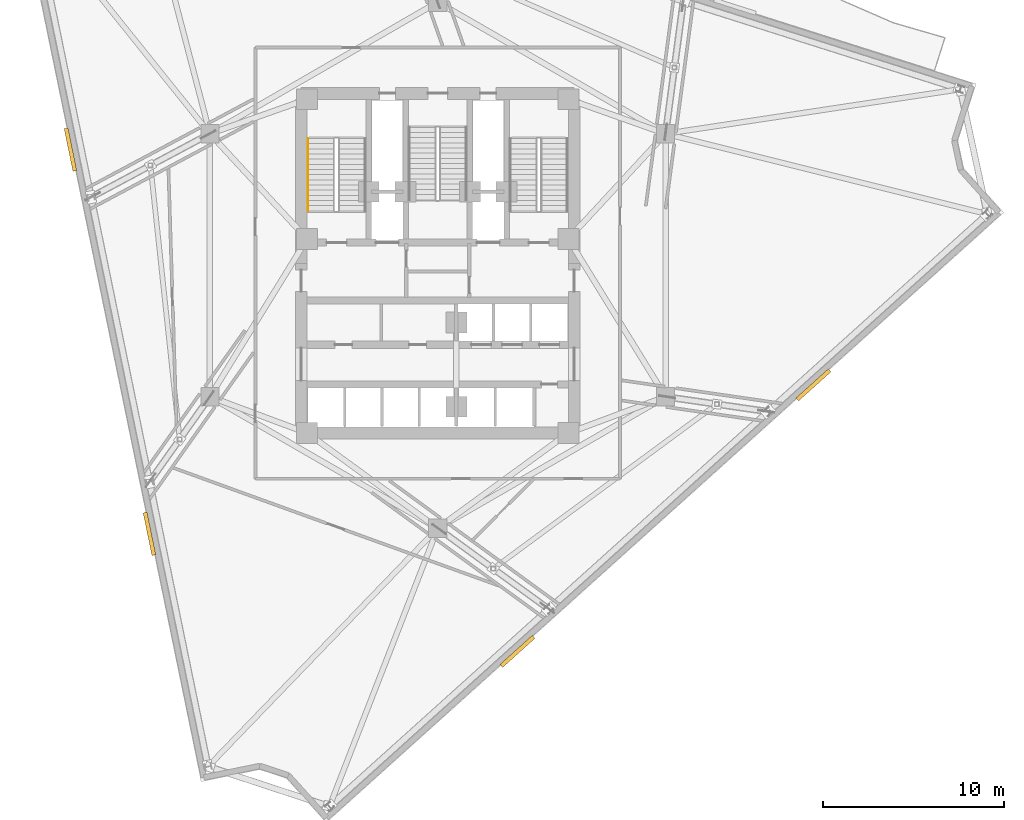
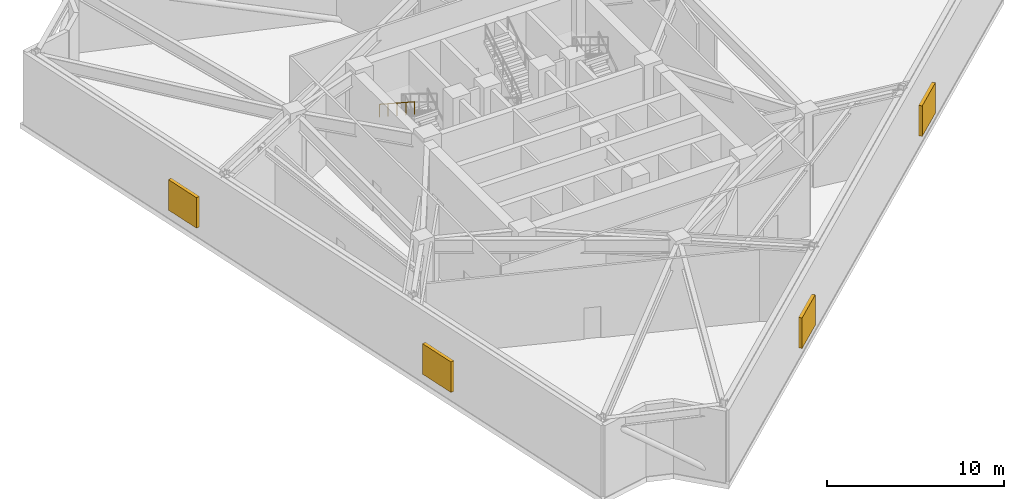
# One storey, part 14 of 16: 4 shading devices, 1 railing.
"""IFC4 building model written with IfcOpenShell, lengths in metres."""

from ifc_helpers import new_model, si_unit, direction, frame, origin, origin_2d, place, context, subcontext, project, spatial, rectangle, extrude, material, type_object, element, save


model = new_model("IFC4")

# Units and contexts
model_context = context("Model", 3, precision=1e-05, world=origin(), true_north=direction((0.0, 1.0)))
body_context = subcontext(model_context, "Body", "Model", "MODEL_VIEW")
ifc_project = project(units=[si_unit("LENGTHUNIT", "METRE"), si_unit("AREAUNIT", "SQUARE_METRE"), si_unit("VOLUMEUNIT", "CUBIC_METRE"), si_unit("PLANEANGLEUNIT", "RADIAN"), si_unit("MASSUNIT", "GRAM", prefix="KILO")], contexts=[model_context])

# Site, building, storey
site_placement = place(None, origin())
site = spatial("IfcSite", under=ifc_project, at=site_placement, CompositionType="ELEMENT")
building_placement = place(site_placement, origin())
building = spatial("IfcBuilding", under=site, at=building_placement, Name="Apsidion Concourse Tower", CompositionType="ELEMENT")
storey_placement = place(building_placement, frame((0.0, 0.0, 227.0)))
storey = spatial("IfcBuildingStorey", under=building, at=storey_placement, Name="L53", CompositionType="ELEMENT", Elevation=227.0)

# Railing
ifc_material_1 = material(Name="Brushed stainless steel 316", Category="steel")
railing_type = type_object("IfcRailingType", Name="RL-HAND-900", PredefinedType="HANDRAIL", material=ifc_material_1)
railing_placement = place(storey_placement, frame((-7.14990234375, 6.989990234375, 2.7734375)))
element("IfcRailing", 1, at=railing_placement, inside=storey, type_object=railing_type, Name="L53 ST1 stair handrail 2", PredefinedType="HANDRAIL", context=body_context, shape_type="SweptSolid", body=[
    extrude(rectangle(XDim=0.048095703125, YDim=0.048095703125, at=origin_2d()), frame((0.0, 0.0, 0.8759765625), z_axis=(0.0, -0.837832859484, 0.545926826204), x_axis=(1.0, 0.0, 0.0)), (0.0, 0.0, 1.0), 4.76220703125),
    extrude(rectangle(XDim=0.0419921875, YDim=0.0419921875, at=origin_2d()), origin(), (0.0, 0.0, 1.0), 0.851806640625),
    extrude(rectangle(XDim=0.0419921875, YDim=0.0419921875, at=origin_2d()), frame((0.0, -0.99755859375, 0.64990234375)), (0.0, 0.0, 1.0), 0.851806640625),
    extrude(rectangle(XDim=0.0419921875, YDim=0.0419921875, at=origin_2d()), frame((0.0, -1.9951171875, 1.2998046875)), (0.0, 0.0, 1.0), 0.851806640625),
    extrude(rectangle(XDim=0.0419921875, YDim=0.0419921875, at=origin_2d()), frame((0.0, -2.992431640625, 1.949951171875)), (0.0, 0.0, 1.0), 0.851806640625),
    extrude(rectangle(XDim=0.0419921875, YDim=0.0419921875, at=origin_2d()), frame((0.0, -3.989990234375, 2.599853515625)), (0.0, 0.0, 1.0), 0.851806640625),
])

# Shading devices
ifc_material_2 = material(Name="Anodised aluminium EN AW-6063 T6", Category="aluminium")
shading_device_type = type_object("IfcShadingDeviceType", Name="SH-LOUVRE-AL", PredefinedType="JALOUSIE", material=ifc_material_2)
for number, where, z_axis, x_axis, name in (
    (2, (20.70947265625, -6.6005859375, 0.75), (0.0, 0.0, 1.0), (-0.743144825477, -0.669130606359, 0.0), "L53 Plant Acoustic Louvre Bank 5-1"),
    (3, (4.399658203125, -21.285888671875, 0.75), (0.0, 0.0, 1.0), (-0.743144825477, -0.669130606359, 0.0), "L53 Plant Acoustic Louvre Bank 5-2"),
    (4, (-15.890380859375, -14.806884765625, 0.75), (0.0, 0.0, 1.0), (-0.201419845156, 0.979505000486, 0.0), "L53 Plant Acoustic Louvre Bank 9-1"),
    (5, (-20.24609375, 6.373779296875, 0.75), (0.0, 0.0, 1.0), (-0.201419845156, 0.979505000486, 0.0), "L53 Plant Acoustic Louvre Bank 9-2"),
):
    element("IfcShadingDevice", number, at=place(storey_placement, frame(where, z_axis=z_axis, x_axis=x_axis)), inside=storey, type_object=shading_device_type, Name=name, PredefinedType="JALOUSIE", context=body_context, shape_type="SweptSolid", body=[
        extrude(rectangle(XDim=2.39990234375, YDim=0.219970703125, at=origin_2d()), origin(), (0.0, 0.0, 1.0), 2.10009765625),
    ])

save(model, "model.ifc")
